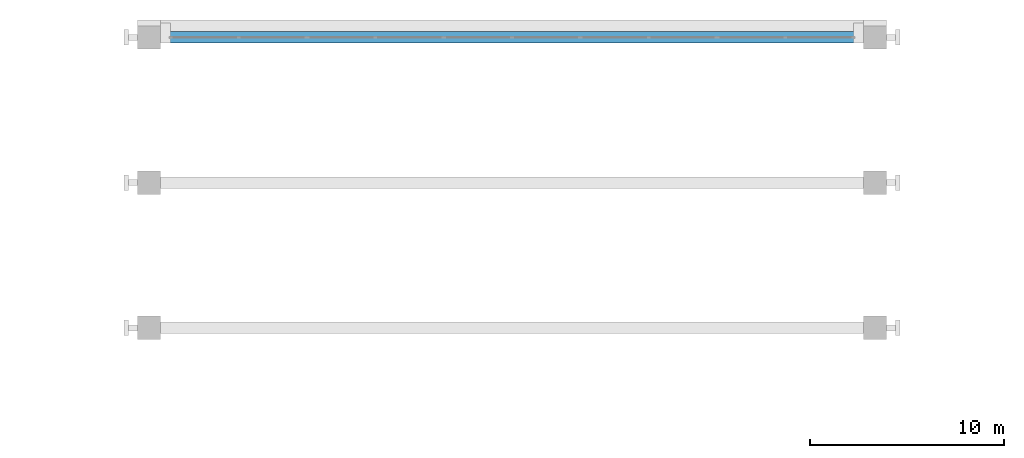
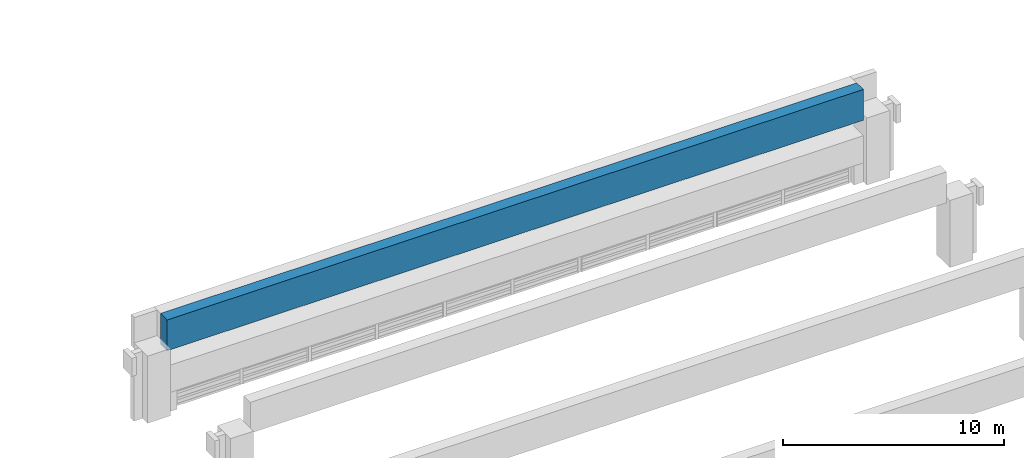
# One storey, part 16 of 61: 1 beam.
"""IFC4 building model written with IfcOpenShell, lengths in metres."""

from ifc_helpers import new_model, si_unit, direction, frame, origin, origin_2d, place, context, subcontext, project, spatial, rectangle, extrude, material, material_profile, profile_set, type_object, element, save


model = new_model("IFC4")

# Units and contexts
model_context = context("Model", 3, precision=1e-05, world=origin(), true_north=direction((0.0, 1.0)))
body_context = subcontext(model_context, "Body", "Model", "MODEL_VIEW")
ifc_project = project(units=[si_unit("LENGTHUNIT", "METRE"), si_unit("AREAUNIT", "SQUARE_METRE"), si_unit("VOLUMEUNIT", "CUBIC_METRE"), si_unit("PLANEANGLEUNIT", "RADIAN"), si_unit("MASSUNIT", "GRAM", prefix="KILO")], contexts=[model_context])

# Site, building, storey
site_placement = place(None, origin())
site = spatial("IfcSite", under=ifc_project, at=site_placement, CompositionType="ELEMENT")
building_placement = place(site_placement, origin())
building = spatial("IfcBuilding", under=site, at=building_placement, Name="Cour d'Honneur Mobility Palace", CompositionType="ELEMENT")
storey_placement = place(building_placement, frame((0.0, 0.0, 11.89990234375)))
storey = spatial("IfcBuildingStorey", under=building, at=storey_placement, Name="L03", CompositionType="ELEMENT", Elevation=11.89990234375)

# Beam
ifc_material = material(Name="Concrete C50", Category="concrete")
ifc_material_profile = material_profile(ifc_material, rectangle(XDim=0.60009765625, YDim=1.699951171875, at=origin_2d()), Name="Valley girder 600x1700")
ifc_profile_set = profile_set([ifc_material_profile], Name="Concrete C50")
beam_type = type_object("IfcBeamType", Name="Valley girder 600x1700", PredefinedType="BEAM", material=ifc_profile_set)
beam_placement = place(storey_placement, frame((63.0, 114.89990234375, 4.25), z_axis=(1.0, 0.0, 0.0), x_axis=(0.0, 1.0, 0.0)))
element("IfcBeam", 1, at=beam_placement, inside=storey, type_object=beam_type, Name="Valley girder VG8", PredefinedType="BEAM", context=body_context, shape_type="SweptSolid", body=[
    extrude(rectangle(XDim=0.60009765625, YDim=1.699951171875, at=origin_2d()), origin(), (0.0, 0.0, 1.0), 36.300048828125),
])

save(model, "model.ifc")
